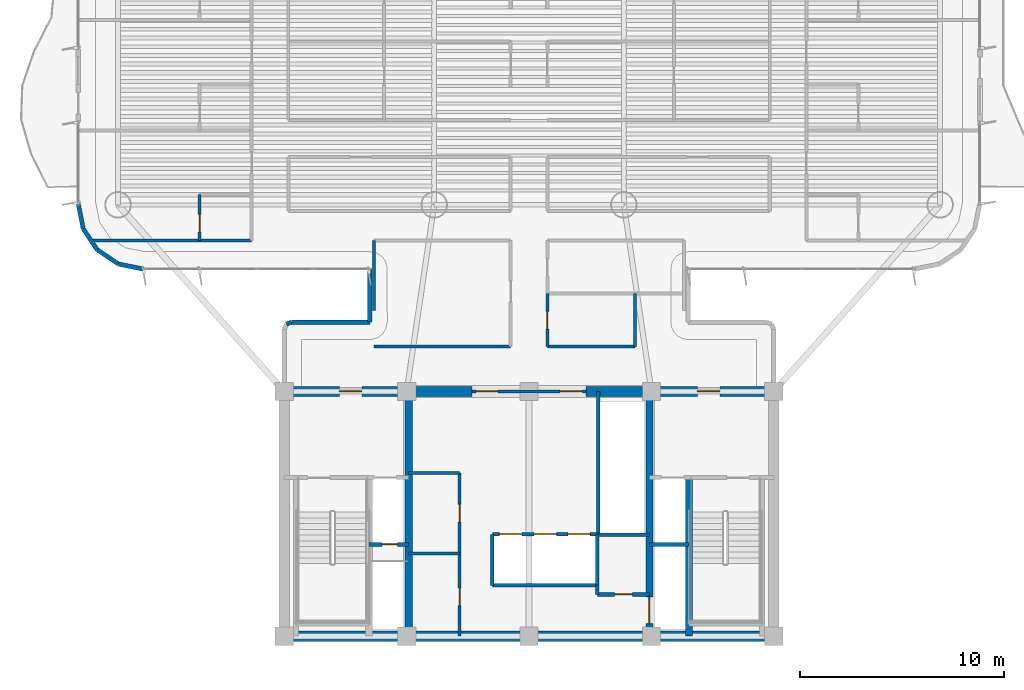
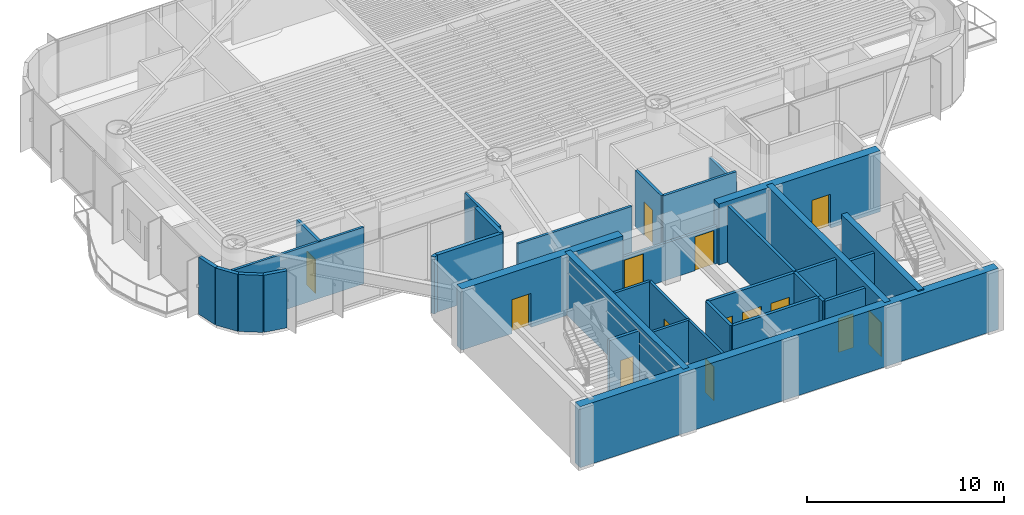
# One storey, part 9 of 17: 34 walls, 14 doors, 14 openings.
"""IFC4 building model written with IfcOpenShell, lengths in metres."""

from ifc_helpers import new_model, si_unit, direction, frame, frame_2d, origin, origin_2d, place, context, subcontext, project, spatial, rectangle, extrude, source, transform, mapped, material, layer, layer_set, type_object, element, fill, save


model = new_model("IFC4")

# Units and contexts
model_context = context("Model", 3, precision=1e-05, world=origin(), true_north=direction((0.0, 1.0)))
body_context = subcontext(model_context, "Body", "Model", "MODEL_VIEW")
ifc_project = project(units=[si_unit("LENGTHUNIT", "METRE"), si_unit("AREAUNIT", "SQUARE_METRE"), si_unit("VOLUMEUNIT", "CUBIC_METRE"), si_unit("PLANEANGLEUNIT", "RADIAN"), si_unit("MASSUNIT", "GRAM", prefix="KILO")], contexts=[model_context])

# Site, building, storey
site_placement = place(None, origin())
site = spatial("IfcSite", under=ifc_project, at=site_placement, CompositionType="ELEMENT")
building_placement = place(site_placement, origin())
building = spatial("IfcBuilding", under=site, at=building_placement, Name="Brelvock Crest Care Tower", CompositionType="ELEMENT")
storey_placement = place(building_placement, frame((0.0, 0.0, 135.179931640625)))
storey = spatial("IfcBuildingStorey", under=building, at=storey_placement, Name="L34", CompositionType="ELEMENT", Elevation=135.179931640625)

# Wall
ifc_material_1 = material(Name="Concrete S80 (80 MPa)", Category="concrete")
ifc_layer_1 = layer(ifc_material_1, 0.5, Name="WL-CS2")
ifc_layer_set_1 = layer_set([ifc_layer_1], Name="Concrete S80 (80 MPa)")
wall_type_1 = type_object("IfcWallType", Name="WL-CS2", PredefinedType="SHEAR", material=ifc_layer_set_1)
wall_1_placement = place(storey_placement, frame((48.25, 6.0, 0.0), z_axis=(0.0, 0.0, 1.0), x_axis=(-1.0, 0.0, 0.0)))
element("IfcWall", 1, at=wall_1_placement, inside=storey, type_object=wall_type_1, Name="L34 Core South Shear Wall", PredefinedType="SHEAR", context=body_context, shape_type="SweptSolid", body=[
    extrude(rectangle(XDim=24.5, YDim=0.5, at=frame_2d((12.25, 0.0))), origin(), (0.0, 0.0, 1.0), 3.780029296875),
])

# Wall, opening, door
wall_2_placement = place(storey_placement, frame((23.75, 18.0, 0.0), z_axis=(0.0, 0.0, 1.0), x_axis=(1.0, 0.0, 0.0)))
wall_2 = element("IfcWall", 2, at=wall_2_placement, inside=storey, type_object=wall_type_1, Name="L34 Core North-West Shear Wall", PredefinedType="SHEAR", context=body_context, shape_type="SweptSolid", body=[
    extrude(rectangle(XDim=9.449951171875, YDim=0.5, at=frame_2d((4.72509765625, 0.0))), origin(), (0.0, 0.0, 1.0), 3.780029296875),
])
opening_1_placement = place(wall_2_placement, frame((2.949951171875, 0.0, 0.0)))
opening_1 = element("IfcOpeningElement", 3, at=opening_1_placement, cuts=wall_2, Name="Opening FD-1", PredefinedType="OPENING", context=body_context, shape_type="SweptSolid", body=[
    extrude(rectangle(XDim=1.10009765625, YDim=2.10009765625, at=origin_2d()), frame((0.550048828125, 0.260009765625, 1.050048828125), z_axis=(0.0, -1.0, 0.0), x_axis=(1.0, 0.0, 0.0)), (0.0, 0.0, 1.0), 0.52001953125),
])
ifc_material_2 = material(Name="Steel Grade 350", Category="steel")
door_type_1 = type_object("IfcDoorType", Name="DR-FFL1", OperationType="NOTDEFINED", PredefinedType="DOOR", material=ifc_material_2)
shared_shape_1 = source(origin(), body_context, "Body", "SweptSolid", [
    extrude(rectangle(XDim=1.10009765625, YDim=2.10009765625, at=origin_2d()), frame((0.550048828125, 0.02490234375, 1.050048828125), z_axis=(0.0, -1.0, 0.0), x_axis=(1.0, 0.0, 0.0)), (0.0, 0.0, 1.0), 0.050048828125),
])
door_1_placement = place(opening_1_placement, origin())
door_1 = element("IfcDoor", 4, at=door_1_placement, inside=storey, type_object=door_type_1, Name="L34 Firefighting Lobby FFL-1 Exit Door", OperationType="SINGLE_SWING_LEFT", OverallHeight=2.10009765625, OverallWidth=1.10009765625, PredefinedType="DOOR", context=body_context, shape_type="MappedRepresentation", body=[
    mapped(shared_shape_1, transform((0.0, 0.0, 0.0), x_axis=(1.0, 0.0, 0.0), y_axis=(0.0, 1.0, 0.0), z_axis=(0.0, 0.0, 1.0), scale=1.0)),
])
fill(opening_1, door_1)

wall_3_placement = place(storey_placement, frame((38.800048828125, 18.0, 0.0), z_axis=(0.0, 0.0, 1.0), x_axis=(1.0, 0.0, 0.0)))
wall_3 = element("IfcWall", 5, at=wall_3_placement, inside=storey, type_object=wall_type_1, Name="L34 Core North-East Shear Wall", PredefinedType="SHEAR", context=body_context, shape_type="SweptSolid", body=[
    extrude(rectangle(XDim=9.449951171875, YDim=0.5, at=frame_2d((4.72509765625, 0.0))), origin(), (0.0, 0.0, 1.0), 3.780029296875),
])
opening_2_placement = place(wall_3_placement, frame((5.449951171875, 0.0, 0.0)))
opening_2 = element("IfcOpeningElement", 6, at=opening_2_placement, cuts=wall_3, Name="Opening FD-1", PredefinedType="OPENING", context=body_context, shape_type="SweptSolid", body=[
    extrude(rectangle(XDim=1.10009765625, YDim=2.10009765625, at=origin_2d()), frame((0.550048828125, 0.260009765625, 1.050048828125), z_axis=(0.0, -1.0, 0.0), x_axis=(1.0, 0.0, 0.0)), (0.0, 0.0, 1.0), 0.52001953125),
])
door_2_placement = place(opening_2_placement, origin())
door_2 = element("IfcDoor", 7, at=door_2_placement, inside=storey, type_object=door_type_1, Name="L34 Firefighting Lobby FFL-2 Exit Door", OperationType="SINGLE_SWING_RIGHT", OverallHeight=2.10009765625, OverallWidth=1.10009765625, PredefinedType="DOOR", context=body_context, shape_type="MappedRepresentation", body=[
    mapped(shared_shape_1, transform((0.0, 0.0, 0.0), x_axis=(1.0, 0.0, 0.0), y_axis=(0.0, 1.0, 0.0), z_axis=(0.0, 0.0, 1.0), scale=1.0)),
])
fill(opening_2, door_2)

# Wall
ifc_layer_2 = layer(ifc_material_1, 0.35009765625, Name="WL-CS5")
ifc_layer_set_2 = layer_set([ifc_layer_2], Name="Concrete S80 (80 MPa)")
wall_type_2 = type_object("IfcWallType", Name="WL-CS5", PredefinedType="SHEAR", material=ifc_layer_set_2)
wall_4_placement = place(storey_placement, frame((30.10009765625, 6.0, 0.0), z_axis=(0.0, 0.0, 1.0), x_axis=(0.0, 1.0, 0.0)))
element("IfcWall", 8, at=wall_4_placement, inside=storey, type_object=wall_type_2, Name="L34 Core Internal Web Wall West", PredefinedType="SHEAR", context=body_context, shape_type="SweptSolid", body=[
    extrude(rectangle(XDim=12.0, YDim=0.35009765625, at=frame_2d((6.0, 0.0))), origin(), (0.0, 0.0, 1.0), 3.780029296875),
])

# Wall, opening, door
wall_5_placement = place(storey_placement, frame((41.89990234375, 18.0, 0.0), z_axis=(0.0, 0.0, 1.0), x_axis=(0.0, -1.0, 0.0)))
wall_5 = element("IfcWall", 9, at=wall_5_placement, inside=storey, type_object=wall_type_2, Name="L34 Core Internal Web Wall East", PredefinedType="SHEAR", context=body_context, shape_type="SweptSolid", body=[
    extrude(rectangle(XDim=12.0, YDim=0.35009765625, at=frame_2d((6.0, 0.0))), origin(), (0.0, 0.0, 1.0), 3.780029296875),
])
opening_3_placement = place(wall_5_placement, frame((10.080078125, 0.0, 0.0)))
opening_3 = element("IfcOpeningElement", 10, at=opening_3_placement, cuts=wall_5, Name="Opening LD-S", PredefinedType="OPENING", context=body_context, shape_type="SweptSolid", body=[
    extrude(rectangle(XDim=1.300048828125, YDim=2.10009765625, at=origin_2d()), frame((0.64990234375, 0.18505859375, 1.050048828125), z_axis=(0.0, -1.0, 0.0), x_axis=(1.0, 0.0, 0.0)), (0.0, 0.0, 1.0), 0.3701171875),
])
door_type_2 = type_object("IfcDoorType", Name="DR-LDS1", OperationType="NOTDEFINED", PredefinedType="DOOR", material=ifc_material_2)
shared_shape_2 = source(origin(), body_context, "Body", "SweptSolid", [
    extrude(rectangle(XDim=1.300048828125, YDim=2.10009765625, at=origin_2d()), frame((0.64990234375, 0.02490234375, 1.050048828125), z_axis=(0.0, -1.0, 0.0), x_axis=(1.0, 0.0, 0.0)), (0.0, 0.0, 1.0), 0.050048828125),
])
door_3_placement = place(opening_3_placement, origin())
door_3 = element("IfcDoor", 11, at=door_3_placement, inside=storey, type_object=door_type_2, Name="L34 Clinical Bed Lift SL-1 Landing Door", OperationType="SLIDING_TO_LEFT", OverallHeight=2.10009765625, OverallWidth=1.300048828125, PredefinedType="DOOR", context=body_context, shape_type="MappedRepresentation", body=[
    mapped(shared_shape_2, transform((0.0, 0.0, 0.0), x_axis=(1.0, 0.0, 0.0), y_axis=(0.0, 1.0, 0.0), z_axis=(0.0, 0.0, 1.0), scale=1.0)),
])
fill(opening_3, door_3)

# Walls
wall_6_placement = place(storey_placement, frame((43.85009765625, 6.0, 0.0), z_axis=(0.0, 0.0, 1.0), x_axis=(0.0, 1.0, 0.0)))
element("IfcWall", 12, at=wall_6_placement, inside=storey, type_object=wall_type_2, Name="L34 Core Stair ST-2 West Shear Wall", PredefinedType="SHEAR", context=body_context, shape_type="SweptSolid", body=[
    extrude(rectangle(XDim=7.780029296875, YDim=0.35009765625, at=frame_2d((3.89013671875, 0.0))), origin(), (0.0, 0.0, 1.0), 3.85009765625),
])
ifc_material_3 = material(Name="Precast concrete N40 (40 MPa)", Category="concrete")
ifc_layer_3 = layer(ifc_material_3, 0.215087890625, Name="WL-EX2")
ifc_layer_set_3 = layer_set([ifc_layer_3], Name="Precast concrete N40 (40 MPa)")
wall_type_3 = type_object("IfcWallType", Name="WL-EX2", PredefinedType="SOLIDWALL", material=ifc_layer_set_3)
wall_7_placement = place(storey_placement, frame((24.1025390625, 21.297607421875, 0.0), z_axis=(0.0, 0.0, 1.0), x_axis=(0.924205486139, 0.381895560841, 0.0)))
element("IfcWall", 13, at=wall_7_placement, inside=storey, type_object=wall_type_3, Name="L34 Rounded Corner Wall 09", PredefinedType="SOLIDWALL", context=body_context, shape_type="SweptSolid", body=[
    extrude(rectangle(XDim=0.267822265625, YDim=0.215087890625, at=frame_2d((0.1337890625, 0.0))), origin(), (0.0, 0.0, 1.0), 3.530029296875),
])
wall_8_placement = place(storey_placement, frame((24.35009765625, 21.39990234375, 0.0), z_axis=(0.0, 0.0, 1.0), x_axis=(1.0, 0.0, 0.0)))
element("IfcWall", 14, at=wall_8_placement, inside=storey, type_object=wall_type_3, Name="L34 Rounded Corner Wall 10", PredefinedType="SOLIDWALL", context=body_context, shape_type="SweptSolid", body=[
    extrude(rectangle(XDim=3.849853515625, YDim=0.215087890625, at=frame_2d((1.9248046875, 0.0))), origin(), (0.0, 0.0, 1.0), 3.530029296875),
])
wall_9_placement = place(storey_placement, frame((28.199951171875, 21.39990234375, 0.0), z_axis=(0.0, 0.0, 1.0), x_axis=(0.0, 1.0, 0.0)))
element("IfcWall", 15, at=wall_9_placement, inside=storey, type_object=wall_type_3, Name="L34 Rounded Corner Wall 11", PredefinedType="SOLIDWALL", context=body_context, shape_type="SweptSolid", body=[
    extrude(rectangle(XDim=2.60009765625, YDim=0.215087890625, at=frame_2d((1.300048828125, 0.0))), origin(), (0.0, 0.0, 1.0), 3.530029296875),
])
for number, where, z_axis, x_axis, name in (
    (16, (17.10009765625, 24.0, 0.0), (0.0, 0.0, 1.0), (-0.980775717779, 0.195138390419, 0.0), "L34 Rounded Corner Wall 13"),
    (17, (15.87548828125, 24.24365234375, 0.0), (0.0, 0.0, 1.0), (-0.831478245117, 0.555557312883, 0.0), "L34 Rounded Corner Wall 14"),
    (18, (14.83740234375, 24.937255859375, 0.0), (0.0, 0.0, 1.0), (-0.555692485475, 0.831387912822, 0.0), "L34 Rounded Corner Wall 15"),
    (19, (14.1435546875, 25.975341796875, 0.0), (0.0, 0.0, 1.0), (-0.195138390419, 0.980775717779, 0.0), "L34 Rounded Corner Wall 16"),
):
    element("IfcWall", number, at=place(storey_placement, frame(where, z_axis=z_axis, x_axis=x_axis)), inside=storey, type_object=wall_type_3, Name=name, PredefinedType="SOLIDWALL", context=body_context, shape_type="SweptSolid", body=[
        extrude(rectangle(XDim=1.24853515625, YDim=0.215087890625, at=frame_2d((0.624267578125, 0.0))), origin(), (0.0, 0.0, 1.0), 3.530029296875),
    ])
ifc_material_4 = material(Name="Masonry Blockwork Acoustic Partition", Category="masonry")
ifc_layer_4 = layer(ifc_material_4, 0.14990234375, Name="WL-INT1")
ifc_layer_set_4 = layer_set([ifc_layer_4], Name="Masonry Blockwork Acoustic Partition")
wall_type_4 = type_object("IfcWallType", Name="WL-INT1", PredefinedType="PARTITIONING", material=ifc_layer_set_4)
for number, where, z_axis, x_axis, name in (
    (20, (30.10009765625, 14.0, 0.0), (0.0, 0.0, 1.0), (1.0, 0.0, 0.0), "L34 Interior Wall WL-CRCL-N1-L34"),
    (21, (30.10009765625, 10.050048828125, 0.0), (0.0, 0.0, 1.0), (1.0, 0.0, 0.0), "L34 Interior Wall WL-CSBW-S1-L34"),
):
    element("IfcWall", number, at=place(storey_placement, frame(where, z_axis=z_axis, x_axis=x_axis)), inside=storey, type_object=wall_type_4, Name=name, PredefinedType="PARTITIONING", context=body_context, shape_type="SweptSolid", body=[
        extrude(rectangle(XDim=2.5, YDim=0.14990234375, at=frame_2d((1.25, 0.0))), origin(), (0.0, 0.0, 1.0), 3.5),
    ])

# Wall, openings, doors
wall_10_placement = place(storey_placement, frame((32.60009765625, 6.0, 0.0), z_axis=(0.0, 0.0, 1.0), x_axis=(0.0, 1.0, 0.0)))
wall_10 = element("IfcWall", 22, at=wall_10_placement, inside=storey, type_object=wall_type_4, Name="L34 Interior Wall WL-CRCL-E-L34", PredefinedType="PARTITIONING", context=body_context, shape_type="SweptSolid", body=[
    extrude(rectangle(XDim=8.0, YDim=0.14990234375, at=frame_2d((4.0, 0.0))), origin(), (0.0, 0.0, 1.0), 3.5),
])
opening_4_placement = place(wall_10_placement, frame((1.5, 0.0, 0.0)))
opening_4 = element("IfcOpeningElement", 23, at=opening_4_placement, cuts=wall_10, Name="Opening ID-1", PredefinedType="OPENING", context=body_context, shape_type="SweptSolid", body=[
    extrude(rectangle(XDim=0.860107421875, YDim=2.10009765625, at=origin_2d()), frame((0.43017578125, 0.0849609375, 1.050048828125), z_axis=(0.0, -1.0, 0.0), x_axis=(1.0, 0.0, 0.0)), (0.0, 0.0, 1.0), 0.169921875),
])
opening_5_placement = place(wall_10_placement, frame((5.60009765625, 0.0, 0.0)))
opening_5 = element("IfcOpeningElement", 24, at=opening_5_placement, cuts=wall_10, Name="Opening ID-1", PredefinedType="OPENING", context=body_context, shape_type="SweptSolid", body=[
    extrude(rectangle(XDim=0.860107421875, YDim=2.10009765625, at=origin_2d()), frame((0.43017578125, 0.0849609375, 1.050048828125), z_axis=(0.0, -1.0, 0.0), x_axis=(1.0, 0.0, 0.0)), (0.0, 0.0, 1.0), 0.169921875),
])
ifc_material_5 = material(Name="Engineered Hardwood Timber", Category="wood")
door_type_3 = type_object("IfcDoorType", Name="DR-INT1", OperationType="NOTDEFINED", PredefinedType="DOOR", material=ifc_material_5)
shared_shape_3 = source(origin(), body_context, "Body", "SweptSolid", [
    extrude(rectangle(XDim=0.860107421875, YDim=2.10009765625, at=origin_2d()), frame((0.43017578125, 0.02490234375, 1.050048828125), z_axis=(0.0, -1.0, 0.0), x_axis=(1.0, 0.0, 0.0)), (0.0, 0.0, 1.0), 0.050048828125),
])
door_4_placement = place(opening_4_placement, origin())
door_4 = element("IfcDoor", 25, at=door_4_placement, inside=storey, type_object=door_type_3, Name="DR-CSBW-L34", OperationType="SINGLE_SWING_LEFT", OverallHeight=2.10009765625, OverallWidth=0.860107421875, PredefinedType="DOOR", context=body_context, shape_type="MappedRepresentation", body=[
    mapped(shared_shape_3, transform((0.0, 0.0, 0.0), x_axis=(1.0, 0.0, 0.0), y_axis=(0.0, 1.0, 0.0), z_axis=(0.0, 0.0, 1.0), scale=1.0)),
])
fill(opening_4, door_4)
door_5_placement = place(opening_5_placement, origin())
door_5 = element("IfcDoor", 26, at=door_5_placement, inside=storey, type_object=door_type_3, Name="DR-CRCL1-L34", OperationType="SINGLE_SWING_LEFT", OverallHeight=2.10009765625, OverallWidth=0.860107421875, PredefinedType="DOOR", context=body_context, shape_type="MappedRepresentation", body=[
    mapped(shared_shape_3, transform((0.0, 0.0, 0.0), x_axis=(1.0, 0.0, 0.0), y_axis=(0.0, 1.0, 0.0), z_axis=(0.0, 0.0, 1.0), scale=1.0)),
])
fill(opening_5, door_5)

wall_11_placement = place(storey_placement, frame((33.199951171875, 18.0, 0.0), z_axis=(0.0, 0.0, 1.0), x_axis=(1.0, 0.0, 0.0)))
wall_11 = element("IfcWall", 27, at=wall_11_placement, inside=storey, type_object=wall_type_4, Name="L34 Interior Wall WL-CORE-NPORT-L34", PredefinedType="PARTITIONING", context=body_context, shape_type="SweptSolid", body=[
    extrude(rectangle(XDim=5.60009765625, YDim=0.14990234375, at=frame_2d((2.800048828125, 0.0))), origin(), (0.0, 0.0, 1.0), 2.315185546875),
])
opening_6_placement = place(wall_11_placement, frame((0.18994140625, 0.0, 0.0)))
opening_6 = element("IfcOpeningElement", 28, at=opening_6_placement, cuts=wall_11, Name="Opening FD-1", PredefinedType="OPENING", context=body_context, shape_type="SweptSolid", body=[
    extrude(rectangle(XDim=1.10009765625, YDim=2.10009765625, at=origin_2d()), frame((0.550048828125, 0.0849609375, 1.050048828125), z_axis=(0.0, -1.0, 0.0), x_axis=(1.0, 0.0, 0.0)), (0.0, 0.0, 1.0), 0.169921875),
])
opening_7_placement = place(wall_11_placement, frame((4.31005859375, 0.0, 0.0)))
opening_7 = element("IfcOpeningElement", 29, at=opening_7_placement, cuts=wall_11, Name="Opening FD-1", PredefinedType="OPENING", context=body_context, shape_type="SweptSolid", body=[
    extrude(rectangle(XDim=1.10009765625, YDim=2.10009765625, at=origin_2d()), frame((0.550048828125, 0.0849609375, 1.050048828125), z_axis=(0.0, -1.0, 0.0), x_axis=(1.0, 0.0, 0.0)), (0.0, 0.0, 1.0), 0.169921875),
])
door_6_placement = place(opening_6_placement, origin())
door_6 = element("IfcDoor", 30, at=door_6_placement, inside=storey, type_object=door_type_1, Name="L34 Lift Lobby North Smoke Door West", OperationType="SINGLE_SWING_LEFT", OverallHeight=2.10009765625, OverallWidth=1.10009765625, PredefinedType="DOOR", context=body_context, shape_type="MappedRepresentation", body=[
    mapped(shared_shape_1, transform((0.0, 0.0, 0.0), x_axis=(1.0, 0.0, 0.0), y_axis=(0.0, 1.0, 0.0), z_axis=(0.0, 0.0, 1.0), scale=1.0)),
])
fill(opening_6, door_6)
door_7_placement = place(opening_7_placement, origin())
door_7 = element("IfcDoor", 31, at=door_7_placement, inside=storey, type_object=door_type_1, Name="L34 Lift Lobby North Smoke Door East", OperationType="SINGLE_SWING_RIGHT", OverallHeight=2.10009765625, OverallWidth=1.10009765625, PredefinedType="DOOR", context=body_context, shape_type="MappedRepresentation", body=[
    mapped(shared_shape_1, transform((0.0, 0.0, 0.0), x_axis=(1.0, 0.0, 0.0), y_axis=(0.0, 1.0, 0.0), z_axis=(0.0, 0.0, 1.0), scale=1.0)),
])
fill(opening_7, door_7)

# Walls
wall_12_placement = place(storey_placement, frame((28.39990234375, 20.199951171875, 0.0), z_axis=(0.0, 0.0, 1.0), x_axis=(1.0, 0.0, 0.0)))
element("IfcWall", 32, at=wall_12_placement, inside=storey, type_object=wall_type_4, Name="L34 Interior Wall WL-BX-L34-THW-S", PredefinedType="PARTITIONING", context=body_context, shape_type="SweptSolid", body=[
    extrude(rectangle(XDim=6.7001953125, YDim=0.14990234375, at=frame_2d((3.35009765625, 0.0))), origin(), (0.0, 0.0, 1.0), 3.5),
])
wall_13_placement = place(storey_placement, frame((14.624267578125, 25.39990234375, 0.0), z_axis=(0.0, 0.0, 1.0), x_axis=(1.0, 0.0, 0.0)))
element("IfcWall", 33, at=wall_13_placement, inside=storey, type_object=wall_type_4, Name="L34 Interior Wall WL-BX-L34-CS-SNW1-S2", PredefinedType="PARTITIONING", context=body_context, shape_type="SweptSolid", body=[
    extrude(rectangle(XDim=7.775634765625, YDim=0.14990234375, at=frame_2d((3.8876953125, 0.0))), origin(), (0.0, 0.0, 1.0), 3.5),
])
wall_14_placement = place(storey_placement, frame((28.39990234375, 21.957275390625, 0.0), z_axis=(0.0, 0.0, 1.0), x_axis=(0.0, 1.0, 0.0)))
element("IfcWall", 34, at=wall_14_placement, inside=storey, type_object=wall_type_4, Name="L34 Interior Wall WL-BX-L34-THW-W2", PredefinedType="PARTITIONING", context=body_context, shape_type="SweptSolid", body=[
    extrude(rectangle(XDim=3.442626953125, YDim=0.14990234375, at=frame_2d((1.72119140625, 0.0))), origin(), (0.0, 0.0, 1.0), 3.5),
])
ifc_material_6 = material(Name="Gypsum Plasterboard Partition", Category="gypsum")
ifc_layer_5 = layer(ifc_material_6, 0.159912109375, Name="WL-PLM1")
ifc_layer_set_5 = layer_set([ifc_layer_5], Name="Gypsum Plasterboard Partition")
wall_type_5 = type_object("IfcWallType", Name="WL-PLM1", PredefinedType="PLUMBINGWALL", material=ifc_layer_set_5)
wall_15_placement = place(storey_placement, frame((36.89990234375, 20.199951171875, 0.0), z_axis=(0.0, 0.0, 1.0), x_axis=(1.0, 0.0, 0.0)))
element("IfcWall", 35, at=wall_15_placement, inside=storey, type_object=wall_type_5, Name="L34 Interior Wall WL-BX-L34-THE1-S", PredefinedType="PLUMBINGWALL", context=body_context, shape_type="SweptSolid", body=[
    extrude(rectangle(XDim=4.300048828125, YDim=0.159912109375, at=frame_2d((2.14990234375, 0.0))), origin(), (0.0, 0.0, 1.0), 3.5),
])

# Wall, opening, door
wall_16_placement = place(storey_placement, frame((19.85009765625, 25.39990234375, 0.0), z_axis=(0.0, 0.0, 1.0), x_axis=(0.0, 1.0, 0.0)))
wall_16 = element("IfcWall", 36, at=wall_16_placement, inside=storey, type_object=wall_type_5, Name="L34 Interior Wall WL-CENS1-L34-SNW1", PredefinedType="PLUMBINGWALL", context=body_context, shape_type="SweptSolid", body=[
    extrude(rectangle(XDim=2.25, YDim=0.159912109375, at=frame_2d((1.125, 0.0))), origin(), (0.0, 0.0, 1.0), 3.5),
])
opening_8_placement = place(wall_16_placement, frame((0.419921875, 0.0, 0.0)))
opening_8 = element("IfcOpeningElement", 37, at=opening_8_placement, cuts=wall_16, Name="Opening WD-1", PredefinedType="OPENING", context=body_context, shape_type="SweptSolid", body=[
    extrude(rectangle(XDim=0.860107421875, YDim=2.10009765625, at=origin_2d()), frame((0.43017578125, 0.08984375, 1.050048828125), z_axis=(0.0, -1.0, 0.0), x_axis=(1.0, 0.0, 0.0)), (0.0, 0.0, 1.0), 0.179931640625),
])
door_type_4 = type_object("IfcDoorType", Name="DR-WC1", OperationType="NOTDEFINED", PredefinedType="DOOR", material=ifc_material_5)
shared_shape_4 = source(origin(), body_context, "Body", "SweptSolid", [
    extrude(rectangle(XDim=0.860107421875, YDim=2.10009765625, at=origin_2d()), frame((0.43017578125, 0.02490234375, 1.050048828125), z_axis=(0.0, -1.0, 0.0), x_axis=(1.0, 0.0, 0.0)), (0.0, 0.0, 1.0), 0.050048828125),
])
door_8_placement = place(opening_8_placement, origin())
door_8 = element("IfcDoor", 38, at=door_8_placement, inside=storey, type_object=door_type_4, Name="L34 Care En-Suite Door SNW1", OperationType="SINGLE_SWING_LEFT", OverallHeight=2.10009765625, OverallWidth=0.860107421875, PredefinedType="DOOR", context=body_context, shape_type="MappedRepresentation", body=[
    mapped(shared_shape_4, transform((0.0, 0.0, 0.0), x_axis=(1.0, 0.0, 0.0), y_axis=(0.0, 1.0, 0.0), z_axis=(0.0, 0.0, 1.0), scale=1.0)),
])
fill(opening_8, door_8)

wall_17_placement = place(storey_placement, frame((36.89990234375, 20.199951171875, 0.0), z_axis=(0.0, 0.0, 1.0), x_axis=(0.0, 1.0, 0.0)))
wall_17 = element("IfcWall", 39, at=wall_17_placement, inside=storey, type_object=wall_type_5, Name="L34 Interior Wall WL-RM-L34-THE1", PredefinedType="PLUMBINGWALL", context=body_context, shape_type="SweptSolid", body=[
    extrude(rectangle(XDim=2.60009765625, YDim=0.159912109375, at=frame_2d((1.300048828125, 0.0))), origin(), (0.0, 0.0, 1.0), 3.5),
])
opening_9_placement = place(wall_17_placement, frame((0.8701171875, 0.0, 0.0)))
opening_9 = element("IfcOpeningElement", 40, at=opening_9_placement, cuts=wall_17, Name="Opening WD-1", PredefinedType="OPENING", context=body_context, shape_type="SweptSolid", body=[
    extrude(rectangle(XDim=0.860107421875, YDim=2.10009765625, at=origin_2d()), frame((0.43017578125, 0.08984375, 1.050048828125), z_axis=(0.0, -1.0, 0.0), x_axis=(1.0, 0.0, 0.0)), (0.0, 0.0, 1.0), 0.179931640625),
])
door_9_placement = place(opening_9_placement, origin())
door_9 = element("IfcDoor", 41, at=door_9_placement, inside=storey, type_object=door_type_4, Name="L34 Floor Accessible WC Door THE1", OperationType="SINGLE_SWING_LEFT", OverallHeight=2.10009765625, OverallWidth=0.860107421875, PredefinedType="DOOR", context=body_context, shape_type="MappedRepresentation", body=[
    mapped(shared_shape_4, transform((0.0, 0.0, 0.0), x_axis=(1.0, 0.0, 0.0), y_axis=(0.0, 1.0, 0.0), z_axis=(0.0, 0.0, 1.0), scale=1.0)),
])
fill(opening_9, door_9)

# Walls
wall_18_placement = place(storey_placement, frame((41.199951171875, 20.199951171875, 0.0), z_axis=(0.0, 0.0, 1.0), x_axis=(0.0, 1.0, 0.0)))
element("IfcWall", 42, at=wall_18_placement, inside=storey, type_object=wall_type_5, Name="L34 Interior Wall WL-BX-L34-THE1-E", PredefinedType="PLUMBINGWALL", context=body_context, shape_type="SweptSolid", body=[
    extrude(rectangle(XDim=2.60009765625, YDim=0.159912109375, at=frame_2d((1.300048828125, 0.0))), origin(), (0.0, 0.0, 1.0), 2.815185546875),
])
ifc_layer_6 = layer(ifc_material_4, 0.179931640625, Name="WL-SHF1")
ifc_layer_set_6 = layer_set([ifc_layer_6], Name="Masonry Blockwork Acoustic Partition")
wall_type_6 = type_object("IfcWallType", Name="WL-SHF1", PredefinedType="PARTITIONING", material=ifc_layer_set_6)
wall_19_placement = place(storey_placement, frame((34.199951171875, 8.5, 0.0), z_axis=(0.0, 0.0, 1.0), x_axis=(1.0, 0.0, 0.0)))
element("IfcWall", 43, at=wall_19_placement, inside=storey, type_object=wall_type_6, Name="L34 Interior Wall WL-PLM-S-L34", PredefinedType="PARTITIONING", context=body_context, shape_type="SweptSolid", body=[
    extrude(rectangle(XDim=5.150146484375, YDim=0.179931640625, at=frame_2d((2.5751953125, 0.0))), origin(), (0.0, 0.0, 1.0), 3.5),
])
for number, where, z_axis, x_axis, name in (
    (44, (34.199951171875, 8.5, 0.0), (0.0, 0.0, 1.0), (0.0, 1.0, 0.0), "L34 Interior Wall WL-PLM-W-L34"),
    (45, (39.35009765625, 8.5, 0.0), (0.0, 0.0, 1.0), (0.0, 1.0, 0.0), "L34 Interior Wall WL-PLM-E-L34"),
):
    element("IfcWall", number, at=place(storey_placement, frame(where, z_axis=z_axis, x_axis=x_axis)), inside=storey, type_object=wall_type_6, Name=name, PredefinedType="PARTITIONING", context=body_context, shape_type="SweptSolid", body=[
        extrude(rectangle(XDim=2.5, YDim=0.179931640625, at=frame_2d((1.25, 0.0))), origin(), (0.0, 0.0, 1.0), 3.5),
    ])
wall_20_placement = place(storey_placement, frame((39.39990234375, 11.0, 0.0), z_axis=(0.0, 0.0, 1.0), x_axis=(0.0, 1.0, 0.0)))
element("IfcWall", 46, at=wall_20_placement, inside=storey, type_object=wall_type_6, Name="L34 Interior Wall WL-PLH-SHF-L34", PredefinedType="PARTITIONING", context=body_context, shape_type="SweptSolid", body=[
    extrude(rectangle(XDim=7.0, YDim=0.179931640625, at=frame_2d((3.5, 0.0))), origin(), (0.0, 0.0, 1.0), 3.5),
])
wall_21_placement = place(storey_placement, frame((39.35009765625, 10.97998046875, 0.0), z_axis=(0.0, 0.0, 1.0), x_axis=(1.0, 0.0, 0.0)))
element("IfcWall", 47, at=wall_21_placement, inside=storey, type_object=wall_type_6, Name="L34 Interior Wall WL-CSBE-N-L34", PredefinedType="PARTITIONING", context=body_context, shape_type="SweptSolid", body=[
    extrude(rectangle(XDim=2.5498046875, YDim=0.179931640625, at=frame_2d((1.27490234375, 0.0))), origin(), (0.0, 0.0, 1.0), 3.5),
])
wall_22_placement = place(storey_placement, frame((39.35009765625, 8.050048828125, 0.0), z_axis=(0.0, 0.0, 1.0), x_axis=(0.0, 1.0, 0.0)))
element("IfcWall", 48, at=wall_22_placement, inside=storey, type_object=wall_type_6, Name="L34 Interior Wall WL-CSBE-W-L34", PredefinedType="PARTITIONING", context=body_context, shape_type="SweptSolid", body=[
    extrude(rectangle(XDim=0.449951171875, YDim=0.179931640625, at=frame_2d((0.22509765625, 0.0))), origin(), (0.0, 0.0, 1.0), 3.5),
])

# Wall, opening, door
wall_23_placement = place(storey_placement, frame((39.35009765625, 8.050048828125, 0.0), z_axis=(0.0, 0.0, 1.0), x_axis=(1.0, 0.0, 0.0)))
wall_23 = element("IfcWall", 49, at=wall_23_placement, inside=storey, type_object=wall_type_6, Name="L34 Interior Wall WL-CSBE-S-L34", PredefinedType="PARTITIONING", context=body_context, shape_type="SweptSolid", body=[
    extrude(rectangle(XDim=2.5498046875, YDim=0.179931640625, at=frame_2d((1.27490234375, 0.0))), origin(), (0.0, 0.0, 1.0), 3.5),
])
opening_10_placement = place(wall_23_placement, frame((0.85009765625, 0.0, 0.0)))
opening_10 = element("IfcOpeningElement", 50, at=opening_10_placement, cuts=wall_23, Name="Opening ID-1", PredefinedType="OPENING", context=body_context, shape_type="SweptSolid", body=[
    extrude(rectangle(XDim=0.860107421875, YDim=2.10009765625, at=origin_2d()), frame((0.43017578125, 0.10009765625, 1.050048828125), z_axis=(0.0, -1.0, 0.0), x_axis=(1.0, 0.0, 0.0)), (0.0, 0.0, 1.0), 0.199951171875),
])
door_10_placement = place(opening_10_placement, origin())
door_10 = element("IfcDoor", 51, at=door_10_placement, inside=storey, type_object=door_type_3, Name="DR-CSBE-L34", OperationType="SINGLE_SWING_LEFT", OverallHeight=2.10009765625, OverallWidth=0.860107421875, PredefinedType="DOOR", context=body_context, shape_type="MappedRepresentation", body=[
    mapped(shared_shape_3, transform((0.0, 0.0, 0.0), x_axis=(1.0, 0.0, 0.0), y_axis=(0.0, 1.0, 0.0), z_axis=(0.0, 0.0, 1.0), scale=1.0)),
])
fill(opening_10, door_10)

wall_24_placement = place(storey_placement, frame((28.14990234375, 10.5, 0.0), z_axis=(0.0, 0.0, 1.0), x_axis=(1.0, 0.0, 0.0)))
wall_24 = element("IfcWall", 52, at=wall_24_placement, inside=storey, type_object=wall_type_6, Name="L34 Interior Wall WL-FFH1-S-L34", PredefinedType="PARTITIONING", context=body_context, shape_type="SweptSolid", body=[
    extrude(rectangle(XDim=1.9501953125, YDim=0.179931640625, at=frame_2d((0.97509765625, 0.0))), origin(), (0.0, 0.0, 1.0), 3.5),
])
opening_11_placement = place(wall_24_placement, frame((0.64990234375, 0.0, 0.0)))
opening_11 = element("IfcOpeningElement", 53, at=opening_11_placement, cuts=wall_24, Name="Opening RD-1", PredefinedType="OPENING", context=body_context, shape_type="SweptSolid", body=[
    extrude(rectangle(XDim=0.760009765625, YDim=2.050048828125, at=origin_2d()), frame((0.3798828125, 0.10009765625, 1.02490234375), z_axis=(0.0, -1.0, 0.0), x_axis=(1.0, 0.0, 0.0)), (0.0, 0.0, 1.0), 0.199951171875),
])
door_type_5 = type_object("IfcDoorType", Name="DR-RIS1", OperationType="NOTDEFINED", PredefinedType="DOOR", material=ifc_material_2)
shared_shape_5 = source(origin(), body_context, "Body", "SweptSolid", [
    extrude(rectangle(XDim=0.760009765625, YDim=2.050048828125, at=origin_2d()), frame((0.3798828125, 0.02490234375, 1.02490234375), z_axis=(0.0, -1.0, 0.0), x_axis=(1.0, 0.0, 0.0)), (0.0, 0.0, 1.0), 0.050048828125),
])
door_11_placement = place(opening_11_placement, origin())
door_11 = element("IfcDoor", 54, at=door_11_placement, inside=storey, type_object=door_type_5, Name="L34 Wet Fire Riser Access Door", OperationType="SINGLE_SWING_LEFT", OverallHeight=2.050048828125, OverallWidth=0.760009765625, PredefinedType="DOOR", context=body_context, shape_type="MappedRepresentation", body=[
    mapped(shared_shape_5, transform((0.0, 0.0, 0.0), x_axis=(1.0, 0.0, 0.0), y_axis=(0.0, 1.0, 0.0), z_axis=(0.0, 0.0, 1.0), scale=1.0)),
])
fill(opening_11, door_11)

# Wall
wall_25_placement = place(storey_placement, frame((41.89990234375, 10.5, 0.0), z_axis=(0.0, 0.0, 1.0), x_axis=(1.0, 0.0, 0.0)))
element("IfcWall", 55, at=wall_25_placement, inside=storey, type_object=wall_type_6, Name="L34 Interior Wall WL-FFH2-S-L34", PredefinedType="PARTITIONING", context=body_context, shape_type="SweptSolid", body=[
    extrude(rectangle(XDim=1.9501953125, YDim=0.179931640625, at=frame_2d((0.97509765625, 0.0))), origin(), (0.0, 0.0, 1.0), 3.5),
])

# Wall, openings, doors
wall_26_placement = place(storey_placement, frame((34.199951171875, 11.0, 0.0), z_axis=(0.0, 0.0, 1.0), x_axis=(1.0, 0.0, 0.0)))
wall_26 = element("IfcWall", 56, at=wall_26_placement, inside=storey, type_object=wall_type_6, Name="L34 Interior Wall WL-PLM-BANK-L34", PredefinedType="PARTITIONING", context=body_context, shape_type="SweptSolid", body=[
    extrude(rectangle(XDim=5.150146484375, YDim=0.179931640625, at=frame_2d((2.5751953125, 0.0))), origin(), (0.0, 0.0, 1.0), 3.5),
])
opening_12_placement = place(wall_26_placement, frame((0.35009765625, 0.0, 0.0)))
opening_12 = element("IfcOpeningElement", 57, at=opening_12_placement, cuts=wall_26, Name="Opening LD", PredefinedType="OPENING", context=body_context, shape_type="SweptSolid", body=[
    extrude(rectangle(XDim=1.10009765625, YDim=2.10009765625, at=origin_2d()), frame((0.550048828125, 0.10009765625, 1.050048828125), z_axis=(0.0, -1.0, 0.0), x_axis=(1.0, 0.0, 0.0)), (0.0, 0.0, 1.0), 0.199951171875),
])
opening_13_placement = place(wall_26_placement, frame((2.050048828125, 0.0, 0.0)))
opening_13 = element("IfcOpeningElement", 58, at=opening_13_placement, cuts=wall_26, Name="Opening LD", PredefinedType="OPENING", context=body_context, shape_type="SweptSolid", body=[
    extrude(rectangle(XDim=1.10009765625, YDim=2.10009765625, at=origin_2d()), frame((0.550048828125, 0.10009765625, 1.050048828125), z_axis=(0.0, -1.0, 0.0), x_axis=(1.0, 0.0, 0.0)), (0.0, 0.0, 1.0), 0.199951171875),
])
opening_14_placement = place(wall_26_placement, frame((3.699951171875, 0.0, 0.0)))
opening_14 = element("IfcOpeningElement", 59, at=opening_14_placement, cuts=wall_26, Name="Opening LD", PredefinedType="OPENING", context=body_context, shape_type="SweptSolid", body=[
    extrude(rectangle(XDim=1.10009765625, YDim=2.10009765625, at=origin_2d()), frame((0.550048828125, 0.10009765625, 1.050048828125), z_axis=(0.0, -1.0, 0.0), x_axis=(1.0, 0.0, 0.0)), (0.0, 0.0, 1.0), 0.199951171875),
])
door_type_6 = type_object("IfcDoorType", Name="DR-LD1", OperationType="NOTDEFINED", PredefinedType="DOOR", material=ifc_material_2)
shared_shape_6 = source(origin(), body_context, "Body", "SweptSolid", [
    extrude(rectangle(XDim=1.10009765625, YDim=2.10009765625, at=origin_2d()), frame((0.550048828125, 0.02490234375, 1.050048828125), z_axis=(0.0, -1.0, 0.0), x_axis=(1.0, 0.0, 0.0)), (0.0, 0.0, 1.0), 0.050048828125),
])
door_12_placement = place(opening_12_placement, origin())
door_12 = element("IfcDoor", 60, at=door_12_placement, inside=storey, type_object=door_type_6, Name="L34 Lift PL-M1 Landing Door", OperationType="SLIDING_TO_LEFT", OverallHeight=2.10009765625, OverallWidth=1.10009765625, PredefinedType="DOOR", context=body_context, shape_type="MappedRepresentation", body=[
    mapped(shared_shape_6, transform((0.0, 0.0, 0.0), x_axis=(1.0, 0.0, 0.0), y_axis=(0.0, 1.0, 0.0), z_axis=(0.0, 0.0, 1.0), scale=1.0)),
])
fill(opening_12, door_12)
door_13_placement = place(opening_13_placement, origin())
door_13 = element("IfcDoor", 61, at=door_13_placement, inside=storey, type_object=door_type_6, Name="L34 Lift PL-M2 Landing Door", OperationType="SLIDING_TO_LEFT", OverallHeight=2.10009765625, OverallWidth=1.10009765625, PredefinedType="DOOR", context=body_context, shape_type="MappedRepresentation", body=[
    mapped(shared_shape_6, transform((0.0, 0.0, 0.0), x_axis=(1.0, 0.0, 0.0), y_axis=(0.0, 1.0, 0.0), z_axis=(0.0, 0.0, 1.0), scale=1.0)),
])
fill(opening_13, door_13)
door_14_placement = place(opening_14_placement, origin())
door_14 = element("IfcDoor", 62, at=door_14_placement, inside=storey, type_object=door_type_6, Name="L34 Lift PL-M3 Landing Door", OperationType="SLIDING_TO_LEFT", OverallHeight=2.10009765625, OverallWidth=1.10009765625, PredefinedType="DOOR", context=body_context, shape_type="MappedRepresentation", body=[
    mapped(shared_shape_6, transform((0.0, 0.0, 0.0), x_axis=(1.0, 0.0, 0.0), y_axis=(0.0, 1.0, 0.0), z_axis=(0.0, 0.0, 1.0), scale=1.0)),
])
fill(opening_14, door_14)

save(model, "model.ifc")
